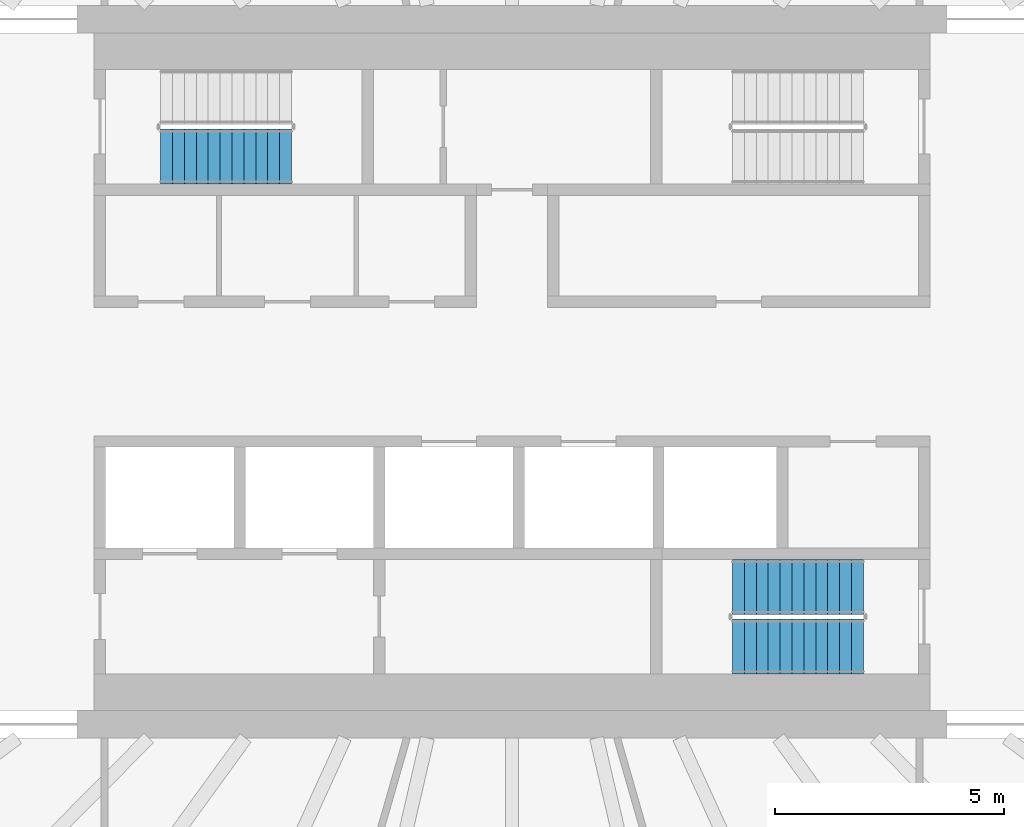
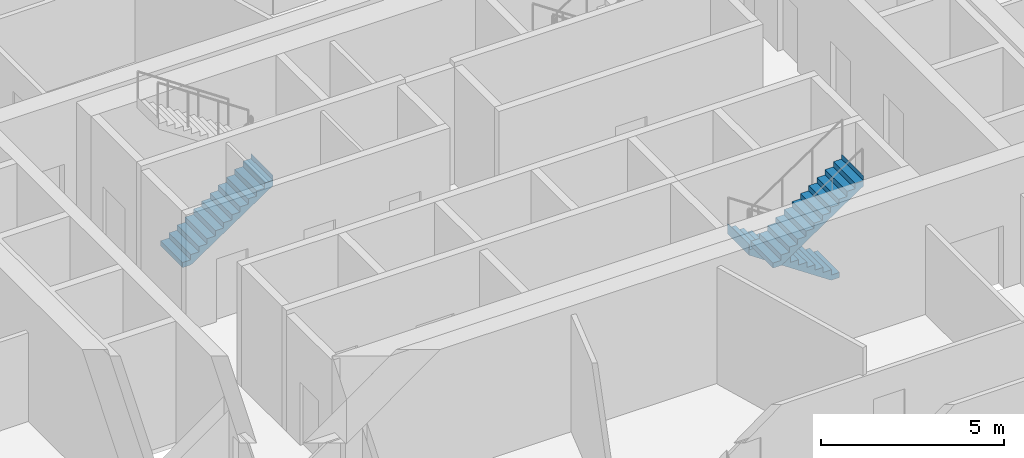
# One storey, part 19 of 26: 3 stair flights, 2 elements without a shape of their own.
"""IFC4 building model written with IfcOpenShell, lengths in metres."""

from ifc_helpers import new_model, si_unit, direction, frame, origin, place, context, subcontext, project, spatial, triangles, material, type_object, element, aggregate, save


model = new_model("IFC4")

# Units and contexts
model_context = context("Model", 3, precision=1e-05, world=origin(), true_north=direction((0.0, 1.0)))
body_context = subcontext(model_context, "Body", "Model", "MODEL_VIEW")
ifc_project = project(units=[si_unit("LENGTHUNIT", "METRE"), si_unit("AREAUNIT", "SQUARE_METRE"), si_unit("VOLUMEUNIT", "CUBIC_METRE"), si_unit("PLANEANGLEUNIT", "RADIAN"), si_unit("MASSUNIT", "GRAM", prefix="KILO")], contexts=[model_context])

# Site, building, storey
site_placement = place(None, origin())
site = spatial("IfcSite", under=ifc_project, at=site_placement, CompositionType="ELEMENT")
building_placement = place(site_placement, origin())
building = spatial("IfcBuilding", under=site, at=building_placement, Name="Sahrelin Media Tower", CompositionType="ELEMENT")
storey_placement = place(building_placement, frame((0.0, 0.0, 84.0)))
storey = spatial("IfcBuildingStorey", under=building, at=storey_placement, Name="L15", CompositionType="ELEMENT", Elevation=84.0)

# Stair, stair flight
ifc_material = material(Name="Concrete C40/50", Category="concrete")
stair_type = type_object("IfcStairType", Name="Exit stair 1200", PredefinedType="HALF_TURN_STAIR", material=ifc_material)
placement = place(storey_placement, origin())
stair_1 = element("IfcStair", 1, at=placement, inside=storey, type_object=stair_type, Name="L15 Exit stair ST1", PredefinedType="HALF_TURN_STAIR")
stair_flight_type = type_object("IfcStairFlightType", Name="Stair flight 1200", PredefinedType="STRAIGHT", material=ifc_material)
stair_flight_1_placement = place(storey_placement, frame((-7.675048828125, 4.699951171875, 0.0), z_axis=(0.0, 0.0, 1.0), x_axis=(1.0, 0.0, 0.0)))
stair_flight_1 = element("IfcStairFlight", 2, at=stair_flight_1_placement, type_object=stair_flight_type, Name="ST1 flight 1", NumberOfRisers=12, NumberOfTreads=11, PredefinedType="STRAIGHT", RiserHeight=0.175, TreadLength=0.26, context=body_context, shape_type="Tessellation", body=[
    triangles([(0.2685546875, 0.60009765625, 0.0), (0.2685546875, 0.300048828125, 0.0), (0.2685546875, 0.0, 0.0), (0.2685546875, -0.300048828125, 0.0), (0.2685546875, -0.60009765625, 0.0), (2.860107421875, 0.60009765625, 1.744384765625), (2.860107421875, 0.300048828125, 1.744384765625), (2.860107421875, 0.0, 1.744384765625), (2.860107421875, -0.300048828125, 1.744384765625), (2.860107421875, -0.60009765625, 1.744384765625), (2.860107421875, 0.60009765625, 2.10009765625), (2.860107421875, 0.300048828125, 2.10009765625), (2.860107421875, 0.0, 2.10009765625), (2.860107421875, -0.300048828125, 2.10009765625), (2.860107421875, -0.60009765625, 2.10009765625), (2.85791015625, 0.60009765625, 2.10009765625), (2.85791015625, 0.300048828125, 2.10009765625), (2.85791015625, 0.0, 2.10009765625), (2.85791015625, -0.300048828125, 2.10009765625), (2.85791015625, -0.60009765625, 2.10009765625), (2.85791015625, 0.60009765625, 1.925048828125), (2.85791015625, 0.300048828125, 1.925048828125), (2.85791015625, 0.0, 1.925048828125), (2.85791015625, -0.300048828125, 1.925048828125), (2.85791015625, -0.60009765625, 1.925048828125), (2.60009765625, 0.60009765625, 1.925048828125), (2.60009765625, 0.300048828125, 1.925048828125), (2.60009765625, 0.0, 1.925048828125), (2.60009765625, -0.300048828125, 1.925048828125), (2.60009765625, -0.60009765625, 1.925048828125), (2.60009765625, 0.60009765625, 1.75), (2.60009765625, 0.300048828125, 1.75), (2.60009765625, 0.0, 1.75), (2.60009765625, -0.300048828125, 1.75), (2.60009765625, -0.60009765625, 1.75), (2.340087890625, 0.60009765625, 1.75), (2.340087890625, 0.300048828125, 1.75), (2.340087890625, 0.0, 1.75), (2.340087890625, -0.300048828125, 1.75), (2.340087890625, -0.60009765625, 1.75), (2.340087890625, 0.60009765625, 1.574951171875), (2.340087890625, 0.300048828125, 1.574951171875), (2.340087890625, 0.0, 1.574951171875), (2.340087890625, -0.300048828125, 1.574951171875), (2.340087890625, -0.60009765625, 1.574951171875), (2.080078125, 0.60009765625, 1.574951171875), (2.080078125, 0.300048828125, 1.574951171875), (2.080078125, 0.0, 1.574951171875), (2.080078125, -0.300048828125, 1.574951171875), (2.080078125, -0.60009765625, 1.574951171875), (2.080078125, 0.60009765625, 1.39990234375), (2.080078125, 0.300048828125, 1.39990234375), (2.080078125, 0.0, 1.39990234375), (2.080078125, -0.300048828125, 1.39990234375), (2.080078125, -0.60009765625, 1.39990234375), (1.820068359375, 0.60009765625, 1.39990234375), (1.820068359375, 0.300048828125, 1.39990234375), (1.820068359375, 0.0, 1.39990234375), (1.820068359375, -0.300048828125, 1.39990234375), (1.820068359375, -0.60009765625, 1.39990234375), (1.820068359375, 0.60009765625, 1.22509765625), (1.820068359375, 0.300048828125, 1.22509765625), (1.820068359375, 0.0, 1.22509765625), (1.820068359375, -0.300048828125, 1.22509765625), (1.820068359375, -0.60009765625, 1.22509765625), (1.56005859375, 0.60009765625, 1.22509765625), (1.56005859375, 0.300048828125, 1.22509765625), (1.56005859375, 0.0, 1.22509765625), (1.56005859375, -0.300048828125, 1.22509765625), (1.56005859375, -0.60009765625, 1.22509765625), (1.56005859375, 0.60009765625, 1.050048828125), (1.56005859375, 0.300048828125, 1.050048828125), (1.56005859375, 0.0, 1.050048828125), (1.56005859375, -0.300048828125, 1.050048828125), (1.56005859375, -0.60009765625, 1.050048828125), (1.300048828125, 0.60009765625, 1.050048828125), (1.300048828125, 0.300048828125, 1.050048828125), (1.300048828125, 0.0, 1.050048828125), (1.300048828125, -0.300048828125, 1.050048828125), (1.300048828125, -0.60009765625, 1.050048828125), (1.300048828125, 0.60009765625, 0.875), (1.300048828125, 0.300048828125, 0.875), (1.300048828125, 0.0, 0.875), (1.300048828125, -0.300048828125, 0.875), (1.300048828125, -0.60009765625, 0.875), (1.0400390625, 0.60009765625, 0.875), (1.0400390625, 0.300048828125, 0.875), (1.0400390625, 0.0, 0.875), (1.0400390625, -0.300048828125, 0.875), (1.0400390625, -0.60009765625, 0.875), (1.0400390625, 0.60009765625, 0.699951171875), (1.0400390625, 0.300048828125, 0.699951171875), (1.0400390625, 0.0, 0.699951171875), (1.0400390625, -0.300048828125, 0.699951171875), (1.0400390625, -0.60009765625, 0.699951171875), (0.780029296875, 0.60009765625, 0.699951171875), (0.780029296875, 0.300048828125, 0.699951171875), (0.780029296875, 0.0, 0.699951171875), (0.780029296875, -0.300048828125, 0.699951171875), (0.780029296875, -0.60009765625, 0.699951171875), (0.780029296875, 0.60009765625, 0.52490234375), (0.780029296875, 0.300048828125, 0.52490234375), (0.780029296875, 0.0, 0.52490234375), (0.780029296875, -0.300048828125, 0.52490234375), (0.780029296875, -0.60009765625, 0.52490234375), (0.52001953125, 0.60009765625, 0.52490234375), (0.52001953125, 0.300048828125, 0.52490234375), (0.52001953125, 0.0, 0.52490234375), (0.52001953125, -0.300048828125, 0.52490234375), (0.52001953125, -0.60009765625, 0.52490234375), (0.52001953125, 0.60009765625, 0.35009765625), (0.52001953125, 0.300048828125, 0.35009765625), (0.52001953125, 0.0, 0.35009765625), (0.52001953125, -0.300048828125, 0.35009765625), (0.52001953125, -0.60009765625, 0.35009765625), (0.260009765625, 0.60009765625, 0.35009765625), (0.260009765625, 0.300048828125, 0.35009765625), (0.260009765625, 0.0, 0.35009765625), (0.260009765625, -0.300048828125, 0.35009765625), (0.260009765625, -0.60009765625, 0.35009765625), (0.260009765625, 0.60009765625, 0.175048828125), (0.260009765625, 0.300048828125, 0.175048828125), (0.260009765625, 0.0, 0.175048828125), (0.260009765625, -0.300048828125, 0.175048828125), (0.260009765625, -0.60009765625, 0.175048828125), (0.0, 0.60009765625, 0.175048828125), (0.0, 0.300048828125, 0.175048828125), (0.0, 0.0, 0.175048828125), (0.0, -0.300048828125, 0.175048828125), (0.0, -0.60009765625, 0.175048828125), (0.0, 0.60009765625, 0.0), (0.0, 0.300048828125, 0.0), (0.0, 0.0, 0.0), (0.0, -0.300048828125, 0.0), (0.0, -0.60009765625, 0.0)], [[1, 6, 7], [1, 7, 2], [2, 7, 8], [2, 8, 3], [3, 8, 9], [3, 9, 4], [4, 9, 10], [4, 10, 5], [6, 11, 12], [6, 12, 7], [7, 12, 13], [7, 13, 8], [8, 13, 14], [8, 14, 9], [9, 14, 15], [9, 15, 10], [11, 16, 17], [11, 17, 12], [12, 17, 18], [12, 18, 13], [13, 18, 19], [13, 19, 14], [14, 19, 20], [14, 20, 15], [16, 21, 22], [16, 22, 17], [17, 22, 23], [17, 23, 18], [18, 23, 24], [18, 24, 19], [19, 24, 25], [19, 25, 20], [21, 26, 27], [21, 27, 22], [22, 27, 28], [22, 28, 23], [23, 28, 29], [23, 29, 24], [24, 29, 30], [24, 30, 25], [26, 31, 32], [26, 32, 27], [27, 32, 33], [27, 33, 28], [28, 33, 34], [28, 34, 29], [29, 34, 35], [29, 35, 30], [31, 36, 37], [31, 37, 32], [32, 37, 38], [32, 38, 33], [33, 38, 39], [33, 39, 34], [34, 39, 40], [34, 40, 35], [36, 41, 42], [36, 42, 37], [37, 42, 43], [37, 43, 38], [38, 43, 44], [38, 44, 39], [39, 44, 45], [39, 45, 40], [41, 46, 47], [41, 47, 42], [42, 47, 48], [42, 48, 43], [43, 48, 49], [43, 49, 44], [44, 49, 50], [44, 50, 45], [46, 51, 52], [46, 52, 47], [47, 52, 53], [47, 53, 48], [48, 53, 54], [48, 54, 49], [49, 54, 55], [49, 55, 50], [51, 56, 57], [51, 57, 52], [52, 57, 58], [52, 58, 53], [53, 58, 59], [53, 59, 54], [54, 59, 60], [54, 60, 55], [56, 61, 62], [56, 62, 57], [57, 62, 63], [57, 63, 58], [58, 63, 64], [58, 64, 59], [59, 64, 65], [59, 65, 60], [61, 66, 67], [61, 67, 62], [62, 67, 68], [62, 68, 63], [63, 68, 69], [63, 69, 64], [64, 69, 70], [64, 70, 65], [66, 71, 72], [66, 72, 67], [67, 72, 73], [67, 73, 68], [68, 73, 74], [68, 74, 69], [69, 74, 75], [69, 75, 70], [71, 76, 77], [71, 77, 72], [72, 77, 78], [72, 78, 73], [73, 78, 79], [73, 79, 74], [74, 79, 80], [74, 80, 75], [76, 81, 82], [76, 82, 77], [77, 82, 83], [77, 83, 78], [78, 83, 84], [78, 84, 79], [79, 84, 85], [79, 85, 80], [81, 86, 87], [81, 87, 82], [82, 87, 88], [82, 88, 83], [83, 88, 89], [83, 89, 84], [84, 89, 90], [84, 90, 85], [86, 91, 92], [86, 92, 87], [87, 92, 93], [87, 93, 88], [88, 93, 94], [88, 94, 89], [89, 94, 95], [89, 95, 90], [91, 96, 97], [91, 97, 92], [92, 97, 98], [92, 98, 93], [93, 98, 99], [93, 99, 94], [94, 99, 100], [94, 100, 95], [96, 101, 102], [96, 102, 97], [97, 102, 103], [97, 103, 98], [98, 103, 104], [98, 104, 99], [99, 104, 105], [99, 105, 100], [101, 106, 107], [101, 107, 102], [102, 107, 108], [102, 108, 103], [103, 108, 109], [103, 109, 104], [104, 109, 110], [104, 110, 105], [106, 111, 112], [106, 112, 107], [107, 112, 113], [107, 113, 108], [108, 113, 114], [108, 114, 109], [109, 114, 115], [109, 115, 110], [111, 116, 117], [111, 117, 112], [112, 117, 118], [112, 118, 113], [113, 118, 119], [113, 119, 114], [114, 119, 120], [114, 120, 115], [116, 121, 122], [116, 122, 117], [117, 122, 123], [117, 123, 118], [118, 123, 124], [118, 124, 119], [119, 124, 125], [119, 125, 120], [121, 126, 127], [121, 127, 122], [122, 127, 128], [122, 128, 123], [123, 128, 129], [123, 129, 124], [124, 129, 130], [124, 130, 125], [126, 131, 132], [126, 132, 127], [127, 132, 133], [127, 133, 128], [128, 133, 134], [128, 134, 129], [129, 134, 135], [129, 135, 130], [131, 1, 2], [131, 2, 132], [132, 2, 3], [132, 3, 133], [133, 3, 4], [133, 4, 134], [134, 4, 5], [134, 5, 135], [125, 130, 135], [121, 131, 126], [125, 115, 120], [121, 116, 111], [115, 105, 110], [111, 106, 101], [105, 95, 100], [101, 96, 91], [95, 85, 90], [91, 86, 81], [85, 75, 80], [81, 76, 71], [75, 65, 70], [71, 66, 61], [65, 55, 60], [61, 56, 51], [55, 45, 50], [51, 46, 41], [45, 35, 40], [41, 36, 31], [35, 25, 30], [31, 26, 21], [25, 15, 20], [21, 16, 11], [135, 5, 125], [131, 121, 1], [95, 105, 5], [91, 1, 101], [5, 10, 75], [1, 71, 6], [10, 35, 45], [6, 41, 31], [25, 10, 15], [21, 11, 6], [115, 125, 5], [111, 1, 121], [75, 85, 5], [71, 1, 81], [35, 10, 25], [31, 21, 6], [105, 115, 5], [101, 1, 111], [45, 55, 10], [41, 6, 51], [85, 95, 5], [81, 1, 91], [65, 10, 55], [61, 51, 6], [10, 65, 75], [6, 71, 61]], closed=True),
])
aggregate(stair_1, [stair_flight_1])

# Stair, stair flights
stair_2 = element("IfcStair", 3, at=placement, inside=storey, type_object=stair_type, Name="L15 Exit stair ST2", PredefinedType="HALF_TURN_STAIR")
stair_flight_2_placement = place(storey_placement, frame((7.675048828125, -4.699951171875, 0.0), z_axis=(0.0, 0.0, 1.0), x_axis=(-1.0, 0.0, 0.0)))
stair_flight_2 = element("IfcStairFlight", 4, at=stair_flight_2_placement, type_object=stair_flight_type, Name="ST2 flight 1", NumberOfRisers=12, NumberOfTreads=11, PredefinedType="STRAIGHT", RiserHeight=0.175, TreadLength=0.26, context=body_context, shape_type="Tessellation", body=[
    triangles([(0.2685546875, 0.60009765625, 0.0), (0.2685546875, 0.300048828125, 0.0), (0.2685546875, 0.0, 0.0), (0.2685546875, -0.300048828125, 0.0), (0.2685546875, -0.60009765625, 0.0), (2.860107421875, 0.60009765625, 1.744384765625), (2.860107421875, 0.300048828125, 1.744384765625), (2.860107421875, 0.0, 1.744384765625), (2.860107421875, -0.300048828125, 1.744384765625), (2.860107421875, -0.60009765625, 1.744384765625), (2.860107421875, 0.60009765625, 2.10009765625), (2.860107421875, 0.300048828125, 2.10009765625), (2.860107421875, 0.0, 2.10009765625), (2.860107421875, -0.300048828125, 2.10009765625), (2.860107421875, -0.60009765625, 2.10009765625), (2.85791015625, 0.60009765625, 2.10009765625), (2.85791015625, 0.300048828125, 2.10009765625), (2.85791015625, 0.0, 2.10009765625), (2.85791015625, -0.300048828125, 2.10009765625), (2.85791015625, -0.60009765625, 2.10009765625), (2.85791015625, 0.60009765625, 1.925048828125), (2.85791015625, 0.300048828125, 1.925048828125), (2.85791015625, 0.0, 1.925048828125), (2.85791015625, -0.300048828125, 1.925048828125), (2.85791015625, -0.60009765625, 1.925048828125), (2.60009765625, 0.60009765625, 1.925048828125), (2.60009765625, 0.300048828125, 1.925048828125), (2.60009765625, 0.0, 1.925048828125), (2.60009765625, -0.300048828125, 1.925048828125), (2.60009765625, -0.60009765625, 1.925048828125), (2.60009765625, 0.60009765625, 1.75), (2.60009765625, 0.300048828125, 1.75), (2.60009765625, 0.0, 1.75), (2.60009765625, -0.300048828125, 1.75), (2.60009765625, -0.60009765625, 1.75), (2.340087890625, 0.60009765625, 1.75), (2.340087890625, 0.300048828125, 1.75), (2.340087890625, 0.0, 1.75), (2.340087890625, -0.300048828125, 1.75), (2.340087890625, -0.60009765625, 1.75), (2.340087890625, 0.60009765625, 1.574951171875), (2.340087890625, 0.300048828125, 1.574951171875), (2.340087890625, 0.0, 1.574951171875), (2.340087890625, -0.300048828125, 1.574951171875), (2.340087890625, -0.60009765625, 1.574951171875), (2.080078125, 0.60009765625, 1.574951171875), (2.080078125, 0.300048828125, 1.574951171875), (2.080078125, 0.0, 1.574951171875), (2.080078125, -0.300048828125, 1.574951171875), (2.080078125, -0.60009765625, 1.574951171875), (2.080078125, 0.60009765625, 1.39990234375), (2.080078125, 0.300048828125, 1.39990234375), (2.080078125, 0.0, 1.39990234375), (2.080078125, -0.300048828125, 1.39990234375), (2.080078125, -0.60009765625, 1.39990234375), (1.820068359375, 0.60009765625, 1.39990234375), (1.820068359375, 0.300048828125, 1.39990234375), (1.820068359375, 0.0, 1.39990234375), (1.820068359375, -0.300048828125, 1.39990234375), (1.820068359375, -0.60009765625, 1.39990234375), (1.820068359375, 0.60009765625, 1.22509765625), (1.820068359375, 0.300048828125, 1.22509765625), (1.820068359375, 0.0, 1.22509765625), (1.820068359375, -0.300048828125, 1.22509765625), (1.820068359375, -0.60009765625, 1.22509765625), (1.56005859375, 0.60009765625, 1.22509765625), (1.56005859375, 0.300048828125, 1.22509765625), (1.56005859375, 0.0, 1.22509765625), (1.56005859375, -0.300048828125, 1.22509765625), (1.56005859375, -0.60009765625, 1.22509765625), (1.56005859375, 0.60009765625, 1.050048828125), (1.56005859375, 0.300048828125, 1.050048828125), (1.56005859375, 0.0, 1.050048828125), (1.56005859375, -0.300048828125, 1.050048828125), (1.56005859375, -0.60009765625, 1.050048828125), (1.300048828125, 0.60009765625, 1.050048828125), (1.300048828125, 0.300048828125, 1.050048828125), (1.300048828125, 0.0, 1.050048828125), (1.300048828125, -0.300048828125, 1.050048828125), (1.300048828125, -0.60009765625, 1.050048828125), (1.300048828125, 0.60009765625, 0.875), (1.300048828125, 0.300048828125, 0.875), (1.300048828125, 0.0, 0.875), (1.300048828125, -0.300048828125, 0.875), (1.300048828125, -0.60009765625, 0.875), (1.0400390625, 0.60009765625, 0.875), (1.0400390625, 0.300048828125, 0.875), (1.0400390625, 0.0, 0.875), (1.0400390625, -0.300048828125, 0.875), (1.0400390625, -0.60009765625, 0.875), (1.0400390625, 0.60009765625, 0.699951171875), (1.0400390625, 0.300048828125, 0.699951171875), (1.0400390625, 0.0, 0.699951171875), (1.0400390625, -0.300048828125, 0.699951171875), (1.0400390625, -0.60009765625, 0.699951171875), (0.780029296875, 0.60009765625, 0.699951171875), (0.780029296875, 0.300048828125, 0.699951171875), (0.780029296875, 0.0, 0.699951171875), (0.780029296875, -0.300048828125, 0.699951171875), (0.780029296875, -0.60009765625, 0.699951171875), (0.780029296875, 0.60009765625, 0.52490234375), (0.780029296875, 0.300048828125, 0.52490234375), (0.780029296875, 0.0, 0.52490234375), (0.780029296875, -0.300048828125, 0.52490234375), (0.780029296875, -0.60009765625, 0.52490234375), (0.52001953125, 0.60009765625, 0.52490234375), (0.52001953125, 0.300048828125, 0.52490234375), (0.52001953125, 0.0, 0.52490234375), (0.52001953125, -0.300048828125, 0.52490234375), (0.52001953125, -0.60009765625, 0.52490234375), (0.52001953125, 0.60009765625, 0.35009765625), (0.52001953125, 0.300048828125, 0.35009765625), (0.52001953125, 0.0, 0.35009765625), (0.52001953125, -0.300048828125, 0.35009765625), (0.52001953125, -0.60009765625, 0.35009765625), (0.260009765625, 0.60009765625, 0.35009765625), (0.260009765625, 0.300048828125, 0.35009765625), (0.260009765625, 0.0, 0.35009765625), (0.260009765625, -0.300048828125, 0.35009765625), (0.260009765625, -0.60009765625, 0.35009765625), (0.260009765625, 0.60009765625, 0.175048828125), (0.260009765625, 0.300048828125, 0.175048828125), (0.260009765625, 0.0, 0.175048828125), (0.260009765625, -0.300048828125, 0.175048828125), (0.260009765625, -0.60009765625, 0.175048828125), (0.0, 0.60009765625, 0.175048828125), (0.0, 0.300048828125, 0.175048828125), (0.0, 0.0, 0.175048828125), (0.0, -0.300048828125, 0.175048828125), (0.0, -0.60009765625, 0.175048828125), (0.0, 0.60009765625, 0.0), (0.0, 0.300048828125, 0.0), (0.0, 0.0, 0.0), (0.0, -0.300048828125, 0.0), (0.0, -0.60009765625, 0.0)], [[1, 6, 7], [1, 7, 2], [2, 7, 8], [2, 8, 3], [3, 8, 9], [3, 9, 4], [4, 9, 10], [4, 10, 5], [6, 11, 12], [6, 12, 7], [7, 12, 13], [7, 13, 8], [8, 13, 14], [8, 14, 9], [9, 14, 15], [9, 15, 10], [11, 16, 17], [11, 17, 12], [12, 17, 18], [12, 18, 13], [13, 18, 19], [13, 19, 14], [14, 19, 20], [14, 20, 15], [16, 21, 22], [16, 22, 17], [17, 22, 23], [17, 23, 18], [18, 23, 24], [18, 24, 19], [19, 24, 25], [19, 25, 20], [21, 26, 27], [21, 27, 22], [22, 27, 28], [22, 28, 23], [23, 28, 29], [23, 29, 24], [24, 29, 30], [24, 30, 25], [26, 31, 32], [26, 32, 27], [27, 32, 33], [27, 33, 28], [28, 33, 34], [28, 34, 29], [29, 34, 35], [29, 35, 30], [31, 36, 37], [31, 37, 32], [32, 37, 38], [32, 38, 33], [33, 38, 39], [33, 39, 34], [34, 39, 40], [34, 40, 35], [36, 41, 42], [36, 42, 37], [37, 42, 43], [37, 43, 38], [38, 43, 44], [38, 44, 39], [39, 44, 45], [39, 45, 40], [41, 46, 47], [41, 47, 42], [42, 47, 48], [42, 48, 43], [43, 48, 49], [43, 49, 44], [44, 49, 50], [44, 50, 45], [46, 51, 52], [46, 52, 47], [47, 52, 53], [47, 53, 48], [48, 53, 54], [48, 54, 49], [49, 54, 55], [49, 55, 50], [51, 56, 57], [51, 57, 52], [52, 57, 58], [52, 58, 53], [53, 58, 59], [53, 59, 54], [54, 59, 60], [54, 60, 55], [56, 61, 62], [56, 62, 57], [57, 62, 63], [57, 63, 58], [58, 63, 64], [58, 64, 59], [59, 64, 65], [59, 65, 60], [61, 66, 67], [61, 67, 62], [62, 67, 68], [62, 68, 63], [63, 68, 69], [63, 69, 64], [64, 69, 70], [64, 70, 65], [66, 71, 72], [66, 72, 67], [67, 72, 73], [67, 73, 68], [68, 73, 74], [68, 74, 69], [69, 74, 75], [69, 75, 70], [71, 76, 77], [71, 77, 72], [72, 77, 78], [72, 78, 73], [73, 78, 79], [73, 79, 74], [74, 79, 80], [74, 80, 75], [76, 81, 82], [76, 82, 77], [77, 82, 83], [77, 83, 78], [78, 83, 84], [78, 84, 79], [79, 84, 85], [79, 85, 80], [81, 86, 87], [81, 87, 82], [82, 87, 88], [82, 88, 83], [83, 88, 89], [83, 89, 84], [84, 89, 90], [84, 90, 85], [86, 91, 92], [86, 92, 87], [87, 92, 93], [87, 93, 88], [88, 93, 94], [88, 94, 89], [89, 94, 95], [89, 95, 90], [91, 96, 97], [91, 97, 92], [92, 97, 98], [92, 98, 93], [93, 98, 99], [93, 99, 94], [94, 99, 100], [94, 100, 95], [96, 101, 102], [96, 102, 97], [97, 102, 103], [97, 103, 98], [98, 103, 104], [98, 104, 99], [99, 104, 105], [99, 105, 100], [101, 106, 107], [101, 107, 102], [102, 107, 108], [102, 108, 103], [103, 108, 109], [103, 109, 104], [104, 109, 110], [104, 110, 105], [106, 111, 112], [106, 112, 107], [107, 112, 113], [107, 113, 108], [108, 113, 114], [108, 114, 109], [109, 114, 115], [109, 115, 110], [111, 116, 117], [111, 117, 112], [112, 117, 118], [112, 118, 113], [113, 118, 119], [113, 119, 114], [114, 119, 120], [114, 120, 115], [116, 121, 122], [116, 122, 117], [117, 122, 123], [117, 123, 118], [118, 123, 124], [118, 124, 119], [119, 124, 125], [119, 125, 120], [121, 126, 127], [121, 127, 122], [122, 127, 128], [122, 128, 123], [123, 128, 129], [123, 129, 124], [124, 129, 130], [124, 130, 125], [126, 131, 132], [126, 132, 127], [127, 132, 133], [127, 133, 128], [128, 133, 134], [128, 134, 129], [129, 134, 135], [129, 135, 130], [131, 1, 2], [131, 2, 132], [132, 2, 3], [132, 3, 133], [133, 3, 4], [133, 4, 134], [134, 4, 5], [134, 5, 135], [125, 130, 135], [121, 131, 126], [125, 115, 120], [121, 116, 111], [115, 105, 110], [111, 106, 101], [105, 95, 100], [101, 96, 91], [95, 85, 90], [91, 86, 81], [85, 75, 80], [81, 76, 71], [75, 65, 70], [71, 66, 61], [65, 55, 60], [61, 56, 51], [55, 45, 50], [51, 46, 41], [45, 35, 40], [41, 36, 31], [35, 25, 30], [31, 26, 21], [25, 15, 20], [21, 16, 11], [135, 5, 125], [131, 121, 1], [95, 105, 5], [91, 1, 101], [5, 10, 75], [1, 71, 6], [10, 35, 45], [6, 41, 31], [25, 10, 15], [21, 11, 6], [115, 125, 5], [111, 1, 121], [75, 85, 5], [71, 1, 81], [35, 10, 25], [31, 21, 6], [105, 115, 5], [101, 1, 111], [45, 55, 10], [41, 6, 51], [85, 95, 5], [81, 1, 91], [65, 10, 55], [61, 51, 6], [10, 65, 75], [6, 71, 61]], closed=True),
])
stair_flight_3_placement = place(storey_placement, frame((4.81494140625, -6.0, 2.10009765625), z_axis=(0.0, 0.0, 1.0), x_axis=(1.0, 0.0, 0.0)))
stair_flight_3 = element("IfcStairFlight", 5, at=stair_flight_3_placement, type_object=stair_flight_type, Name="ST2 flight 2", NumberOfRisers=12, NumberOfTreads=11, PredefinedType="STRAIGHT", RiserHeight=0.175, TreadLength=0.26, context=body_context, shape_type="Tessellation", body=[
    triangles([(0.2685546875, 0.60009765625, 0.0), (0.2685546875, 0.300048828125, 0.0), (0.2685546875, 0.0, 0.0), (0.2685546875, -0.300048828125, 0.0), (0.2685546875, -0.60009765625, 0.0), (2.860107421875, 0.60009765625, 1.744384765625), (2.860107421875, 0.300048828125, 1.744384765625), (2.860107421875, 0.0, 1.744384765625), (2.860107421875, -0.300048828125, 1.744384765625), (2.860107421875, -0.60009765625, 1.744384765625), (2.860107421875, 0.60009765625, 2.10009765625), (2.860107421875, 0.300048828125, 2.10009765625), (2.860107421875, 0.0, 2.10009765625), (2.860107421875, -0.300048828125, 2.10009765625), (2.860107421875, -0.60009765625, 2.10009765625), (2.85791015625, 0.60009765625, 2.10009765625), (2.85791015625, 0.300048828125, 2.10009765625), (2.85791015625, 0.0, 2.10009765625), (2.85791015625, -0.300048828125, 2.10009765625), (2.85791015625, -0.60009765625, 2.10009765625), (2.85791015625, 0.60009765625, 1.925048828125), (2.85791015625, 0.300048828125, 1.925048828125), (2.85791015625, 0.0, 1.925048828125), (2.85791015625, -0.300048828125, 1.925048828125), (2.85791015625, -0.60009765625, 1.925048828125), (2.60009765625, 0.60009765625, 1.925048828125), (2.60009765625, 0.300048828125, 1.925048828125), (2.60009765625, 0.0, 1.925048828125), (2.60009765625, -0.300048828125, 1.925048828125), (2.60009765625, -0.60009765625, 1.925048828125), (2.60009765625, 0.60009765625, 1.75), (2.60009765625, 0.300048828125, 1.75), (2.60009765625, 0.0, 1.75), (2.60009765625, -0.300048828125, 1.75), (2.60009765625, -0.60009765625, 1.75), (2.340087890625, 0.60009765625, 1.75), (2.340087890625, 0.300048828125, 1.75), (2.340087890625, 0.0, 1.75), (2.340087890625, -0.300048828125, 1.75), (2.340087890625, -0.60009765625, 1.75), (2.340087890625, 0.60009765625, 1.574951171875), (2.340087890625, 0.300048828125, 1.574951171875), (2.340087890625, 0.0, 1.574951171875), (2.340087890625, -0.300048828125, 1.574951171875), (2.340087890625, -0.60009765625, 1.574951171875), (2.080078125, 0.60009765625, 1.574951171875), (2.080078125, 0.300048828125, 1.574951171875), (2.080078125, 0.0, 1.574951171875), (2.080078125, -0.300048828125, 1.574951171875), (2.080078125, -0.60009765625, 1.574951171875), (2.080078125, 0.60009765625, 1.39990234375), (2.080078125, 0.300048828125, 1.39990234375), (2.080078125, 0.0, 1.39990234375), (2.080078125, -0.300048828125, 1.39990234375), (2.080078125, -0.60009765625, 1.39990234375), (1.820068359375, 0.60009765625, 1.39990234375), (1.820068359375, 0.300048828125, 1.39990234375), (1.820068359375, 0.0, 1.39990234375), (1.820068359375, -0.300048828125, 1.39990234375), (1.820068359375, -0.60009765625, 1.39990234375), (1.820068359375, 0.60009765625, 1.22509765625), (1.820068359375, 0.300048828125, 1.22509765625), (1.820068359375, 0.0, 1.22509765625), (1.820068359375, -0.300048828125, 1.22509765625), (1.820068359375, -0.60009765625, 1.22509765625), (1.56005859375, 0.60009765625, 1.22509765625), (1.56005859375, 0.300048828125, 1.22509765625), (1.56005859375, 0.0, 1.22509765625), (1.56005859375, -0.300048828125, 1.22509765625), (1.56005859375, -0.60009765625, 1.22509765625), (1.56005859375, 0.60009765625, 1.050048828125), (1.56005859375, 0.300048828125, 1.050048828125), (1.56005859375, 0.0, 1.050048828125), (1.56005859375, -0.300048828125, 1.050048828125), (1.56005859375, -0.60009765625, 1.050048828125), (1.300048828125, 0.60009765625, 1.050048828125), (1.300048828125, 0.300048828125, 1.050048828125), (1.300048828125, 0.0, 1.050048828125), (1.300048828125, -0.300048828125, 1.050048828125), (1.300048828125, -0.60009765625, 1.050048828125), (1.300048828125, 0.60009765625, 0.875), (1.300048828125, 0.300048828125, 0.875), (1.300048828125, 0.0, 0.875), (1.300048828125, -0.300048828125, 0.875), (1.300048828125, -0.60009765625, 0.875), (1.0400390625, 0.60009765625, 0.875), (1.0400390625, 0.300048828125, 0.875), (1.0400390625, 0.0, 0.875), (1.0400390625, -0.300048828125, 0.875), (1.0400390625, -0.60009765625, 0.875), (1.0400390625, 0.60009765625, 0.699951171875), (1.0400390625, 0.300048828125, 0.699951171875), (1.0400390625, 0.0, 0.699951171875), (1.0400390625, -0.300048828125, 0.699951171875), (1.0400390625, -0.60009765625, 0.699951171875), (0.780029296875, 0.60009765625, 0.699951171875), (0.780029296875, 0.300048828125, 0.699951171875), (0.780029296875, 0.0, 0.699951171875), (0.780029296875, -0.300048828125, 0.699951171875), (0.780029296875, -0.60009765625, 0.699951171875), (0.780029296875, 0.60009765625, 0.52490234375), (0.780029296875, 0.300048828125, 0.52490234375), (0.780029296875, 0.0, 0.52490234375), (0.780029296875, -0.300048828125, 0.52490234375), (0.780029296875, -0.60009765625, 0.52490234375), (0.52001953125, 0.60009765625, 0.52490234375), (0.52001953125, 0.300048828125, 0.52490234375), (0.52001953125, 0.0, 0.52490234375), (0.52001953125, -0.300048828125, 0.52490234375), (0.52001953125, -0.60009765625, 0.52490234375), (0.52001953125, 0.60009765625, 0.35009765625), (0.52001953125, 0.300048828125, 0.35009765625), (0.52001953125, 0.0, 0.35009765625), (0.52001953125, -0.300048828125, 0.35009765625), (0.52001953125, -0.60009765625, 0.35009765625), (0.260009765625, 0.60009765625, 0.35009765625), (0.260009765625, 0.300048828125, 0.35009765625), (0.260009765625, 0.0, 0.35009765625), (0.260009765625, -0.300048828125, 0.35009765625), (0.260009765625, -0.60009765625, 0.35009765625), (0.260009765625, 0.60009765625, 0.175048828125), (0.260009765625, 0.300048828125, 0.175048828125), (0.260009765625, 0.0, 0.175048828125), (0.260009765625, -0.300048828125, 0.175048828125), (0.260009765625, -0.60009765625, 0.175048828125), (0.0, 0.60009765625, 0.175048828125), (0.0, 0.300048828125, 0.175048828125), (0.0, 0.0, 0.175048828125), (0.0, -0.300048828125, 0.175048828125), (0.0, -0.60009765625, 0.175048828125), (0.0, 0.60009765625, 0.0), (0.0, 0.300048828125, 0.0), (0.0, 0.0, 0.0), (0.0, -0.300048828125, 0.0), (0.0, -0.60009765625, 0.0)], [[1, 6, 7], [1, 7, 2], [2, 7, 8], [2, 8, 3], [3, 8, 9], [3, 9, 4], [4, 9, 10], [4, 10, 5], [6, 11, 12], [6, 12, 7], [7, 12, 13], [7, 13, 8], [8, 13, 14], [8, 14, 9], [9, 14, 15], [9, 15, 10], [11, 16, 17], [11, 17, 12], [12, 17, 18], [12, 18, 13], [13, 18, 19], [13, 19, 14], [14, 19, 20], [14, 20, 15], [16, 21, 22], [16, 22, 17], [17, 22, 23], [17, 23, 18], [18, 23, 24], [18, 24, 19], [19, 24, 25], [19, 25, 20], [21, 26, 27], [21, 27, 22], [22, 27, 28], [22, 28, 23], [23, 28, 29], [23, 29, 24], [24, 29, 30], [24, 30, 25], [26, 31, 32], [26, 32, 27], [27, 32, 33], [27, 33, 28], [28, 33, 34], [28, 34, 29], [29, 34, 35], [29, 35, 30], [31, 36, 37], [31, 37, 32], [32, 37, 38], [32, 38, 33], [33, 38, 39], [33, 39, 34], [34, 39, 40], [34, 40, 35], [36, 41, 42], [36, 42, 37], [37, 42, 43], [37, 43, 38], [38, 43, 44], [38, 44, 39], [39, 44, 45], [39, 45, 40], [41, 46, 47], [41, 47, 42], [42, 47, 48], [42, 48, 43], [43, 48, 49], [43, 49, 44], [44, 49, 50], [44, 50, 45], [46, 51, 52], [46, 52, 47], [47, 52, 53], [47, 53, 48], [48, 53, 54], [48, 54, 49], [49, 54, 55], [49, 55, 50], [51, 56, 57], [51, 57, 52], [52, 57, 58], [52, 58, 53], [53, 58, 59], [53, 59, 54], [54, 59, 60], [54, 60, 55], [56, 61, 62], [56, 62, 57], [57, 62, 63], [57, 63, 58], [58, 63, 64], [58, 64, 59], [59, 64, 65], [59, 65, 60], [61, 66, 67], [61, 67, 62], [62, 67, 68], [62, 68, 63], [63, 68, 69], [63, 69, 64], [64, 69, 70], [64, 70, 65], [66, 71, 72], [66, 72, 67], [67, 72, 73], [67, 73, 68], [68, 73, 74], [68, 74, 69], [69, 74, 75], [69, 75, 70], [71, 76, 77], [71, 77, 72], [72, 77, 78], [72, 78, 73], [73, 78, 79], [73, 79, 74], [74, 79, 80], [74, 80, 75], [76, 81, 82], [76, 82, 77], [77, 82, 83], [77, 83, 78], [78, 83, 84], [78, 84, 79], [79, 84, 85], [79, 85, 80], [81, 86, 87], [81, 87, 82], [82, 87, 88], [82, 88, 83], [83, 88, 89], [83, 89, 84], [84, 89, 90], [84, 90, 85], [86, 91, 92], [86, 92, 87], [87, 92, 93], [87, 93, 88], [88, 93, 94], [88, 94, 89], [89, 94, 95], [89, 95, 90], [91, 96, 97], [91, 97, 92], [92, 97, 98], [92, 98, 93], [93, 98, 99], [93, 99, 94], [94, 99, 100], [94, 100, 95], [96, 101, 102], [96, 102, 97], [97, 102, 103], [97, 103, 98], [98, 103, 104], [98, 104, 99], [99, 104, 105], [99, 105, 100], [101, 106, 107], [101, 107, 102], [102, 107, 108], [102, 108, 103], [103, 108, 109], [103, 109, 104], [104, 109, 110], [104, 110, 105], [106, 111, 112], [106, 112, 107], [107, 112, 113], [107, 113, 108], [108, 113, 114], [108, 114, 109], [109, 114, 115], [109, 115, 110], [111, 116, 117], [111, 117, 112], [112, 117, 118], [112, 118, 113], [113, 118, 119], [113, 119, 114], [114, 119, 120], [114, 120, 115], [116, 121, 122], [116, 122, 117], [117, 122, 123], [117, 123, 118], [118, 123, 124], [118, 124, 119], [119, 124, 125], [119, 125, 120], [121, 126, 127], [121, 127, 122], [122, 127, 128], [122, 128, 123], [123, 128, 129], [123, 129, 124], [124, 129, 130], [124, 130, 125], [126, 131, 132], [126, 132, 127], [127, 132, 133], [127, 133, 128], [128, 133, 134], [128, 134, 129], [129, 134, 135], [129, 135, 130], [131, 1, 2], [131, 2, 132], [132, 2, 3], [132, 3, 133], [133, 3, 4], [133, 4, 134], [134, 4, 5], [134, 5, 135], [125, 130, 135], [121, 131, 126], [125, 115, 120], [121, 116, 111], [115, 105, 110], [111, 106, 101], [105, 95, 100], [101, 96, 91], [95, 85, 90], [91, 86, 81], [85, 75, 80], [81, 76, 71], [75, 65, 70], [71, 66, 61], [65, 55, 60], [61, 56, 51], [55, 45, 50], [51, 46, 41], [45, 35, 40], [41, 36, 31], [35, 25, 30], [31, 26, 21], [25, 15, 20], [21, 16, 11], [135, 5, 125], [131, 121, 1], [95, 105, 5], [91, 1, 101], [5, 10, 75], [1, 71, 6], [10, 35, 45], [6, 41, 31], [25, 10, 15], [21, 11, 6], [115, 125, 5], [111, 1, 121], [75, 85, 5], [71, 1, 81], [35, 10, 25], [31, 21, 6], [105, 115, 5], [101, 1, 111], [45, 55, 10], [41, 6, 51], [85, 95, 5], [81, 1, 91], [65, 10, 55], [61, 51, 6], [10, 65, 75], [6, 71, 61]], closed=True),
])
aggregate(stair_2, [stair_flight_2, stair_flight_3])

save(model, "model.ifc")
